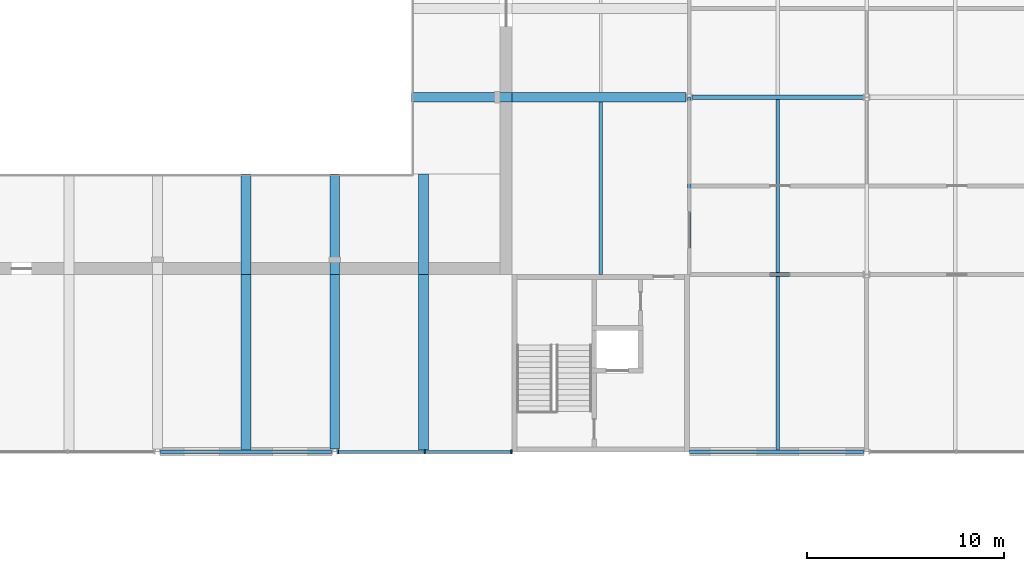
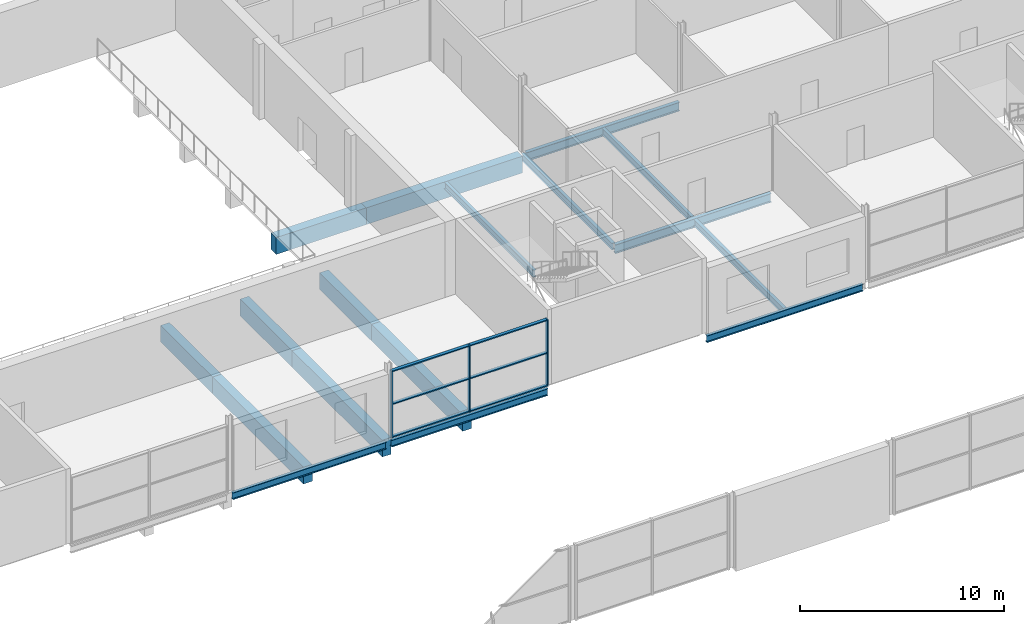
# One storey, part 53 of 97: 17 beams, 9 members, 1 element without a shape of its own.
"""IFC4 building model written with IfcOpenShell, lengths in metres."""

from ifc_helpers import new_model, si_unit, direction, frame, origin, origin_2d, place, context, subcontext, project, spatial, rectangle, i_section, extrude, material, layer, layer_set, material_profile, profile_set, type_object, element, aggregate, save


model = new_model("IFC4")

# Units and contexts
model_context = context("Model", 3, precision=1e-05, world=origin(), true_north=direction((0.0, 1.0)))
body_context = subcontext(model_context, "Body", "Model", "MODEL_VIEW")
ifc_project = project(units=[si_unit("LENGTHUNIT", "METRE"), si_unit("AREAUNIT", "SQUARE_METRE"), si_unit("VOLUMEUNIT", "CUBIC_METRE"), si_unit("PLANEANGLEUNIT", "RADIAN"), si_unit("MASSUNIT", "GRAM", prefix="KILO")], contexts=[model_context])

# Site, building, storey
site_placement = place(None, origin())
site = spatial("IfcSite", under=ifc_project, at=site_placement, CompositionType="ELEMENT")
building_placement = place(site_placement, origin())
building = spatial("IfcBuilding", under=site, at=building_placement, Name="Corbel Yard City Hall", CompositionType="ELEMENT")
storey_placement = place(building_placement, frame((0.0, 0.0, 6.0)))
storey = spatial("IfcBuildingStorey", under=building, at=storey_placement, Name="L01", CompositionType="ELEMENT", Elevation=6.0)

# Beams
ifc_material_1 = material(Name="Steel Grade 300 (300 MPa yield)", Category="steel")
ifc_material_profile_1 = material_profile(ifc_material_1, i_section(OverallWidth=0.177978515625, OverallDepth=0.403076171875, WebThickness=0.007568359375, FlangeThickness=0.010986328125, at=origin_2d()), Name="410UB53.7")
ifc_profile_set_1 = profile_set([ifc_material_profile_1], Name="Steel Grade 300 (300 MPa yield)")
beam_type_1 = type_object("IfcBeamType", Name="Beam 410UB53.7", PredefinedType="BEAM", material=ifc_profile_set_1)
beam_1_placement = place(storey_placement, frame((153.0, 54.1044921875, -0.3515625), z_axis=(0.0, 1.0, 0.0), x_axis=(-1.0, 0.0, 0.0)))
element("IfcBeam", 1, at=beam_1_placement, inside=storey, type_object=beam_type_1, Name="Beam 410UB53.7 SB6 L01floor", PredefinedType="BEAM", context=body_context, shape_type="SweptSolid", body=[
    extrude(i_section(OverallWidth=0.177978515625, OverallDepth=0.403076171875, WebThickness=0.007568359375, FlangeThickness=0.010986328125, at=origin_2d()), origin(), (0.0, 0.0, 1.0), 8.8876953125),
])
ifc_material_profile_2 = material_profile(ifc_material_1, i_section(OverallWidth=0.177978515625, OverallDepth=0.406005859375, WebThickness=0.0078125, FlangeThickness=0.0126953125, at=origin_2d()), Name="410UB59.7")
ifc_profile_set_2 = profile_set([ifc_material_profile_2], Name="Steel Grade 300 (300 MPa yield)")
beam_type_2 = type_object("IfcBeamType", Name="Edge beam 410UB59.7", PredefinedType="BEAM", material=ifc_profile_set_2)
beam_2_placement = place(storey_placement, frame((126.157470703125, 45.0, -0.35302734375), z_axis=(1.0, 0.0, 0.0), x_axis=(0.0, 1.0, 0.0)))
element("IfcBeam", 2, at=beam_2_placement, inside=storey, type_object=beam_type_2, Name="Edge beam 410UB59.7 EB2 L01floor", PredefinedType="BEAM", context=body_context, shape_type="SweptSolid", body=[
    extrude(i_section(OverallWidth=0.177978515625, OverallDepth=0.406005859375, WebThickness=0.0078125, FlangeThickness=0.0126953125, at=origin_2d()), origin(), (0.0, 0.0, 1.0), 8.68505859375),
])
for number, where, z_axis, x_axis, name in (
    (3, (135.157470703125, 45.0, -0.35302734375), (1.0, 0.0, 0.0), (0.0, 1.0, 0.0), "Edge beam 410UB59.7 EB2 L01floor"),
    (4, (153.0, 45.0, -0.35302734375), (1.0, 0.0, 0.0), (0.0, 1.0, 0.0), "Edge beam 410UB59.7 EB2 L01floor"),
):
    element("IfcBeam", number, at=place(storey_placement, frame(where, z_axis=z_axis, x_axis=x_axis)), inside=storey, type_object=beam_type_2, Name=name, PredefinedType="BEAM", context=body_context, shape_type="SweptSolid", body=[
        extrude(i_section(OverallWidth=0.177978515625, OverallDepth=0.406005859375, WebThickness=0.0078125, FlangeThickness=0.0126953125, at=origin_2d()), origin(), (0.0, 0.0, 1.0), 8.842529296875),
    ])
ifc_material_2 = material(Name="Concrete N40 (40 MPa)", Category="concrete")
ifc_material_profile_3 = material_profile(ifc_material_2, rectangle(XDim=0.5, YDim=1.0, at=origin_2d()), Name="500x1000")
ifc_profile_set_3 = profile_set([ifc_material_profile_3], Name="Concrete N40 (40 MPa)")
beam_type_3 = type_object("IfcBeamType", Name="Gallery back-span beam RC 500X1000", PredefinedType="BEAM", material=ifc_profile_set_3)
beam_3_placement = place(storey_placement, frame((144.0, 63.0, -0.64990234375), z_axis=(1.0, 0.0, 0.0), x_axis=(0.0, 1.0, 0.0)))
element("IfcBeam", 5, at=beam_3_placement, inside=storey, type_object=beam_type_3, Name="Gallery back-span beam RC 500X1000 TB1 L01floor", PredefinedType="BEAM", context=body_context, shape_type="SweptSolid", body=[
    extrude(rectangle(XDim=0.5, YDim=1.0, at=origin_2d()), origin(), (0.0, 0.0, 1.0), 8.83642578125),
])
beam_4_placement = place(storey_placement, frame((130.5, 45.089111328125, -0.64990234375), z_axis=(0.0, 1.0, 0.0), x_axis=(-1.0, 0.0, 0.0)))
element("IfcBeam", 6, at=beam_4_placement, inside=storey, type_object=beam_type_3, Name="Gallery back-span beam RC 500X1000 TB1 L01floor", PredefinedType="BEAM", context=body_context, shape_type="SweptSolid", body=[
    extrude(rectangle(XDim=0.5, YDim=1.0, at=origin_2d()), origin(), (0.0, 0.0, 1.0), 8.910888671875),
])
beam_5_placement = place(storey_placement, frame((135.0, 45.153564453125, -0.64990234375), z_axis=(0.0, 1.0, 0.0), x_axis=(-1.0, 0.0, 0.0)))
element("IfcBeam", 7, at=beam_5_placement, inside=storey, type_object=beam_type_3, Name="Gallery back-span beam RC 500X1000 TB1 L01floor", PredefinedType="BEAM", context=body_context, shape_type="SweptSolid", body=[
    extrude(rectangle(XDim=0.5, YDim=1.0, at=origin_2d()), origin(), (0.0, 0.0, 1.0), 8.846435546875),
])
beam_6_placement = place(storey_placement, frame((139.5, 45.089111328125, -0.64990234375), z_axis=(0.0, 1.0, 0.0), x_axis=(-1.0, 0.0, 0.0)))
element("IfcBeam", 8, at=beam_6_placement, inside=storey, type_object=beam_type_3, Name="Gallery back-span beam RC 500X1000 TB1 L01floor", PredefinedType="BEAM", context=body_context, shape_type="SweptSolid", body=[
    extrude(rectangle(XDim=0.5, YDim=1.0, at=origin_2d()), origin(), (0.0, 0.0, 1.0), 8.910888671875),
])
ifc_material_profile_4 = material_profile(ifc_material_2, rectangle(XDim=0.5, YDim=1.0, at=origin_2d()), Name="500x1000")
ifc_profile_set_4 = profile_set([ifc_material_profile_4], Name="Concrete N40 (40 MPa)")
beam_type_4 = type_object("IfcBeamType", Name="Gallery cantilever beam RC 500X1000", PredefinedType="BEAM", material=ifc_profile_set_4)
for number, where, z_axis, x_axis, name in (
    (9, (138.89990234375, 63.0, -0.64990234375), (1.0, 0.0, 0.0), (0.0, 1.0, 0.0), "Gallery cantilever beam RC 500X1000 TB2 L01floor"),
    (10, (130.5, 54.0, -0.64990234375), (0.0, 1.0, 0.0), (-1.0, 0.0, 0.0), "Gallery cantilever beam RC 500X1000 TB2 L01floor"),
    (11, (135.0, 54.0, -0.64990234375), (0.0, 1.0, 0.0), (-1.0, 0.0, 0.0), "Gallery cantilever beam RC 500X1000 TB2 L01floor"),
    (12, (139.5, 54.0, -0.64990234375), (0.0, 1.0, 0.0), (-1.0, 0.0, 0.0), "Gallery cantilever beam RC 500X1000 TB2 L01floor"),
):
    element("IfcBeam", number, at=place(storey_placement, frame(where, z_axis=z_axis, x_axis=x_axis)), inside=storey, type_object=beam_type_4, Name=name, PredefinedType="BEAM", context=body_context, shape_type="SweptSolid", body=[
        extrude(rectangle(XDim=0.5, YDim=1.0, at=origin_2d()), origin(), (0.0, 0.0, 1.0), 5.10009765625),
    ])
ifc_material_profile_5 = material_profile(ifc_material_1, i_section(OverallWidth=0.208984375, OverallDepth=0.528076171875, WebThickness=0.009521484375, FlangeThickness=0.01318359375, at=origin_2d()), Name="530UB82.0")
ifc_profile_set_5 = profile_set([ifc_material_profile_5], Name="Steel Grade 300 (300 MPa yield)")
beam_type_5 = type_object("IfcBeamType", Name="Girder 530UB82.0", PredefinedType="BEAM", material=ifc_profile_set_5)
beam_7_placement = place(storey_placement, frame((153.0, 54.0, -0.4140625), z_axis=(1.0, 0.0, 0.0), x_axis=(0.0, 1.0, 0.0)))
element("IfcBeam", 13, at=beam_7_placement, inside=storey, type_object=beam_type_5, Name="Girder 530UB82.0 GB3 L01floor", PredefinedType="BEAM", context=body_context, shape_type="SweptSolid", body=[
    extrude(i_section(OverallWidth=0.208984375, OverallDepth=0.528076171875, WebThickness=0.009521484375, FlangeThickness=0.01318359375, at=origin_2d()), origin(), (0.0, 0.0, 1.0), 8.83642578125),
])
beam_8_placement = place(storey_placement, frame((153.16357421875, 63.0, -0.4140625), z_axis=(1.0, 0.0, 0.0), x_axis=(0.0, 1.0, 0.0)))
element("IfcBeam", 14, at=beam_8_placement, inside=storey, type_object=beam_type_5, Name="Girder 530UB82.0 GB3 L01floor", PredefinedType="BEAM", context=body_context, shape_type="SweptSolid", body=[
    extrude(i_section(OverallWidth=0.208984375, OverallDepth=0.528076171875, WebThickness=0.009521484375, FlangeThickness=0.01318359375, at=origin_2d()), origin(), (0.0, 0.0, 1.0), 8.6728515625),
])

# Curtain wall, members
ifc_material_3 = material(Name="Aluminium extrusion", Category="aluminium")
ifc_layer = layer(ifc_material_3, 0.219970703125)
ifc_layer_set = layer_set([ifc_layer], Name="Aluminium extrusion")
curtain_wall_type = type_object("IfcCurtainWallType", Name="CW5", PredefinedType="USERDEFINED", material=ifc_layer_set)
curtain_wall_placement = place(storey_placement, origin())
curtain_wall = element("IfcCurtainWall", 15, at=curtain_wall_placement, inside=storey, type_object=curtain_wall_type, Name="Curtain wall CW5 L01", ObjectType="CURTAIN WALL", PredefinedType="USERDEFINED")
ifc_material_profile_6 = material_profile(ifc_material_3, rectangle(XDim=0.219970703125, YDim=0.06494140625, at=origin_2d()), Name="220x65")
ifc_profile_set_6 = profile_set([ifc_material_profile_6], Name="Aluminium extrusion")
member_type_1 = type_object("IfcMemberType", Name="ML5", PredefinedType="MULLION", material=ifc_profile_set_6)
member_1_placement = place(storey_placement, frame((135.16259765625, 45.0, 0.0), z_axis=(0.0, 0.0, 1.0), x_axis=(0.0, 1.0, 0.0)))
member_1 = element("IfcMember", 16, at=member_1_placement, type_object=member_type_1, Name="CW5 mullion 1", PredefinedType="MULLION", context=body_context, shape_type="SweptSolid", body=[
    extrude(rectangle(XDim=0.219970703125, YDim=0.06494140625, at=origin_2d()), origin(), (0.0, 0.0, 1.0), 3.990966796875),
])
member_2_placement = place(storey_placement, frame((139.56494140625, 45.0, 0.0), z_axis=(0.0, 0.0, 1.0), x_axis=(0.0, 1.0, 0.0)))
member_2 = element("IfcMember", 17, at=member_2_placement, type_object=member_type_1, Name="CW5 mullion 2", PredefinedType="MULLION", context=body_context, shape_type="SweptSolid", body=[
    extrude(rectangle(XDim=0.219970703125, YDim=0.06494140625, at=origin_2d()), origin(), (0.0, 0.0, 1.0), 3.990966796875),
])
member_3_placement = place(storey_placement, frame((143.967529296875, 45.0, 0.0), z_axis=(0.0, 0.0, 1.0), x_axis=(0.0, 1.0, 0.0)))
member_3 = element("IfcMember", 18, at=member_3_placement, type_object=member_type_1, Name="CW5 mullion 3", PredefinedType="MULLION", context=body_context, shape_type="SweptSolid", body=[
    extrude(rectangle(XDim=0.219970703125, YDim=0.06494140625, at=origin_2d()), origin(), (0.0, 0.0, 1.0), 3.990966796875),
])

# Beams
ifc_material_profile_7 = material_profile(ifc_material_1, i_section(OverallWidth=0.177978515625, OverallDepth=0.403076171875, WebThickness=0.007568359375, FlangeThickness=0.010986328125, at=origin_2d()), Name="410UB53.7")
ifc_profile_set_7 = profile_set([ifc_material_profile_7], Name="Steel Grade 300 (300 MPa yield)")
beam_type_6 = type_object("IfcBeamType", Name="Secondary beam 410UB53.7", PredefinedType="JOIST", material=ifc_profile_set_7)
beam_9_placement = place(storey_placement, frame((148.5, 54.0, -0.3515625), z_axis=(0.0, 1.0, 0.0), x_axis=(-1.0, 0.0, 0.0)))
element("IfcBeam", 19, at=beam_9_placement, inside=storey, type_object=beam_type_6, Name="Secondary beam 410UB53.7 SB5 L01floor", PredefinedType="JOIST", context=body_context, shape_type="SweptSolid", body=[
    extrude(i_section(OverallWidth=0.177978515625, OverallDepth=0.403076171875, WebThickness=0.007568359375, FlangeThickness=0.010986328125, at=origin_2d()), origin(), (0.0, 0.0, 1.0), 8.75),
])
beam_10_placement = place(storey_placement, frame((157.5, 45.089111328125, -0.3515625), z_axis=(0.0, 1.0, 0.0), x_axis=(-1.0, 0.0, 0.0)))
element("IfcBeam", 20, at=beam_10_placement, inside=storey, type_object=beam_type_6, Name="Secondary beam 410UB53.7 SB5 L01floor", PredefinedType="JOIST", context=body_context, shape_type="SweptSolid", body=[
    extrude(i_section(OverallWidth=0.177978515625, OverallDepth=0.403076171875, WebThickness=0.007568359375, FlangeThickness=0.010986328125, at=origin_2d()), origin(), (0.0, 0.0, 1.0), 8.806396484375),
])
beam_11_placement = place(storey_placement, frame((157.5, 54.1044921875, -0.3515625), z_axis=(0.0, 1.0, 0.0), x_axis=(-1.0, 0.0, 0.0)))
element("IfcBeam", 21, at=beam_11_placement, inside=storey, type_object=beam_type_6, Name="Secondary beam 410UB53.7 SB5 L01floor", PredefinedType="JOIST", context=body_context, shape_type="SweptSolid", body=[
    extrude(i_section(OverallWidth=0.177978515625, OverallDepth=0.403076171875, WebThickness=0.007568359375, FlangeThickness=0.010986328125, at=origin_2d()), origin(), (0.0, 0.0, 1.0), 8.791015625),
])

# Member
ifc_material_profile_8 = material_profile(ifc_material_3, rectangle(XDim=0.179931640625, YDim=0.06494140625, at=origin_2d()), Name="180x65")
ifc_profile_set_8 = profile_set([ifc_material_profile_8], Name="Aluminium extrusion")
member_type_2 = type_object("IfcMemberType", Name="TR5", PredefinedType="USERDEFINED", material=ifc_profile_set_8)
member_4_placement = place(storey_placement, frame((135.195068359375, 45.0, 0.032470703125), z_axis=(1.0, 0.0, 0.0), x_axis=(0.0, 1.0, 0.0)))
member_4 = element("IfcMember", 22, at=member_4_placement, type_object=member_type_2, Name="CW5 transom 1.1", ObjectType="TRANSOM", PredefinedType="USERDEFINED", context=body_context, shape_type="SweptSolid", body=[
    extrude(rectangle(XDim=0.179931640625, YDim=0.06494140625, at=origin_2d()), origin(), (0.0, 0.0, 1.0), 4.33740234375),
])

member_5_placement = place(storey_placement, frame((135.195068359375, 45.0, 1.99560546875), z_axis=(1.0, 0.0, 0.0), x_axis=(0.0, 1.0, 0.0)))
member_5 = element("IfcMember", 23, at=member_5_placement, type_object=member_type_2, Name="CW5 transom 1.2", ObjectType="TRANSOM", PredefinedType="USERDEFINED", context=body_context, shape_type="SweptSolid", body=[
    extrude(rectangle(XDim=0.179931640625, YDim=0.06494140625, at=origin_2d()), origin(), (0.0, 0.0, 1.0), 4.33740234375),
])

member_6_placement = place(storey_placement, frame((135.195068359375, 45.0, 3.95849609375), z_axis=(1.0, 0.0, 0.0), x_axis=(0.0, 1.0, 0.0)))
member_6 = element("IfcMember", 24, at=member_6_placement, type_object=member_type_2, Name="CW5 transom 1.3", ObjectType="TRANSOM", PredefinedType="USERDEFINED", context=body_context, shape_type="SweptSolid", body=[
    extrude(rectangle(XDim=0.179931640625, YDim=0.06494140625, at=origin_2d()), origin(), (0.0, 0.0, 1.0), 4.33740234375),
])

member_7_placement = place(storey_placement, frame((139.597412109375, 45.0, 0.032470703125), z_axis=(1.0, 0.0, 0.0), x_axis=(0.0, 1.0, 0.0)))
member_7 = element("IfcMember", 25, at=member_7_placement, type_object=member_type_2, Name="CW5 transom 2.1", ObjectType="TRANSOM", PredefinedType="USERDEFINED", context=body_context, shape_type="SweptSolid", body=[
    extrude(rectangle(XDim=0.179931640625, YDim=0.06494140625, at=origin_2d()), origin(), (0.0, 0.0, 1.0), 4.337646484375),
])

member_8_placement = place(storey_placement, frame((139.597412109375, 45.0, 1.99560546875), z_axis=(1.0, 0.0, 0.0), x_axis=(0.0, 1.0, 0.0)))
member_8 = element("IfcMember", 26, at=member_8_placement, type_object=member_type_2, Name="CW5 transom 2.2", ObjectType="TRANSOM", PredefinedType="USERDEFINED", context=body_context, shape_type="SweptSolid", body=[
    extrude(rectangle(XDim=0.179931640625, YDim=0.06494140625, at=origin_2d()), origin(), (0.0, 0.0, 1.0), 4.337646484375),
])

member_9_placement = place(storey_placement, frame((139.597412109375, 45.0, 3.95849609375), z_axis=(1.0, 0.0, 0.0), x_axis=(0.0, 1.0, 0.0)))
member_9 = element("IfcMember", 27, at=member_9_placement, type_object=member_type_2, Name="CW5 transom 2.3", ObjectType="TRANSOM", PredefinedType="USERDEFINED", context=body_context, shape_type="SweptSolid", body=[
    extrude(rectangle(XDim=0.179931640625, YDim=0.06494140625, at=origin_2d()), origin(), (0.0, 0.0, 1.0), 4.337646484375),
])

aggregate(curtain_wall, [member_1, member_2, member_3, member_4, member_5, member_6, member_7, member_8, member_9])

save(model, "model.ifc")
